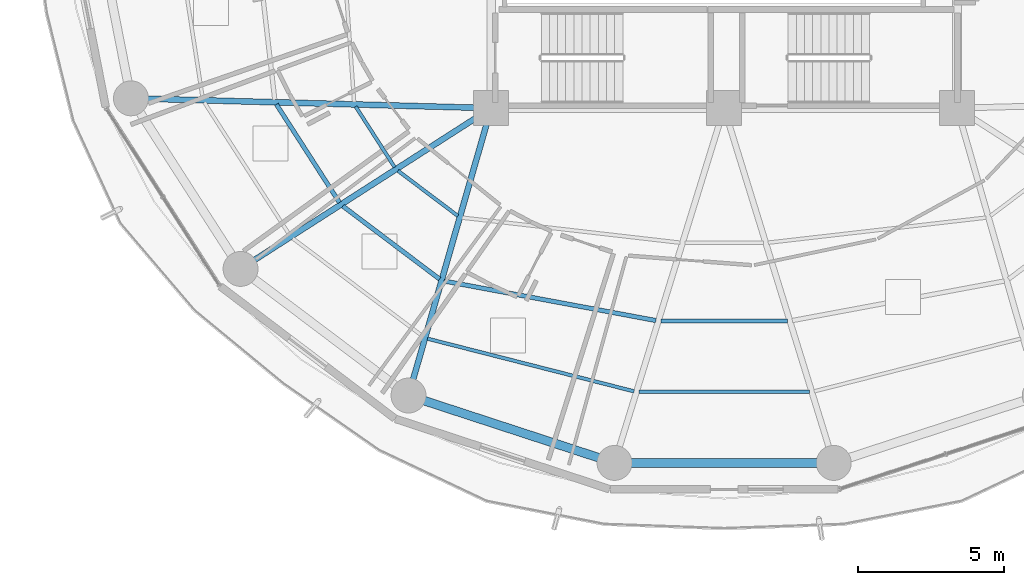
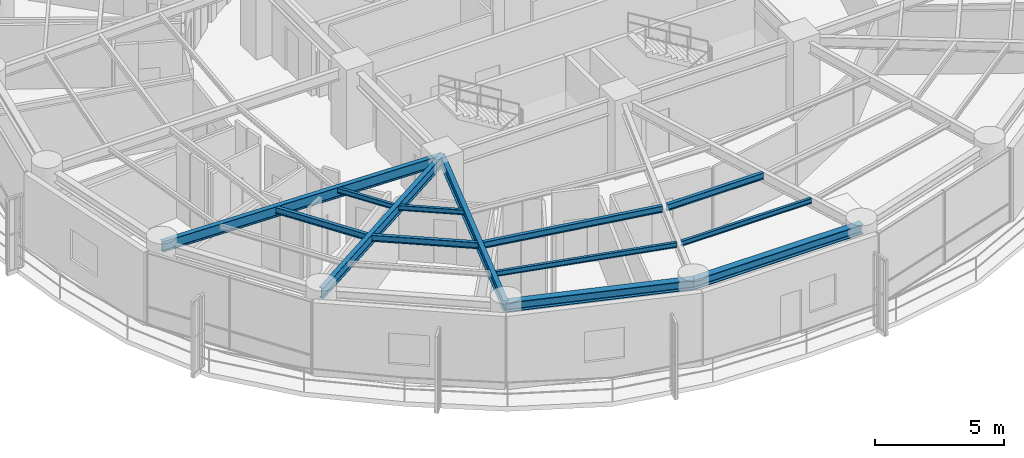
# One storey, part 3 of 27: 13 beams.
"""IFC4 building model written with IfcOpenShell, lengths in metres."""

from ifc_helpers import new_model, si_unit, direction, frame, origin, origin_2d, place, context, subcontext, project, spatial, i_section, extrude, material, material_profile, profile_set, type_object, element, save


model = new_model("IFC4")

# Units and contexts
model_context = context("Model", 3, precision=1e-05, world=origin(), true_north=direction((0.0, 1.0)))
body_context = subcontext(model_context, "Body", "Model", "MODEL_VIEW")
ifc_project = project(units=[si_unit("LENGTHUNIT", "METRE"), si_unit("AREAUNIT", "SQUARE_METRE"), si_unit("VOLUMEUNIT", "CUBIC_METRE"), si_unit("PLANEANGLEUNIT", "RADIAN"), si_unit("MASSUNIT", "GRAM", prefix="KILO")], contexts=[model_context])

# Site, building, storey
site_placement = place(None, origin())
site = spatial("IfcSite", under=ifc_project, at=site_placement, CompositionType="ELEMENT")
building_placement = place(site_placement, origin())
building = spatial("IfcBuilding", under=site, at=building_placement, Name="Kelanora Arch Commons", CompositionType="ELEMENT")
storey_placement = place(building_placement, frame((0.0, 0.0, 143.10009765625)))
storey = spatial("IfcBuildingStorey", under=building, at=storey_placement, Name="L36", CompositionType="ELEMENT", Elevation=143.10009765625)

# Beams
ifc_material = material(Name="Steel S355", Category="steel")
ifc_material_profile_1 = material_profile(ifc_material, i_section(OverallWidth=0.14990234375, OverallDepth=0.300048828125, WebThickness=0.007080078125, FlangeThickness=0.0107421875, FilletRadius=0.014892578125, at=origin_2d()), Name="IPE300")
ifc_profile_set_1 = profile_set([ifc_material_profile_1], Name="Steel S355")
beam_type_1 = type_object("IfcBeamType", Name="BM-JST-01", PredefinedType="JOIST", material=ifc_profile_set_1)
beam_1_placement = place(storey_placement, frame((58.622314453125, 51.130859375, 3.33984375), z_axis=(0.540594434398, -0.841283339606, 0.0), x_axis=(0.841283339606, 0.540594434398, 0.0)))
element("IfcBeam", 1, at=beam_1_placement, inside=storey, type_object=beam_type_1, Name="Secondary Chord Joist BJB-20 L36", PredefinedType="JOIST", context=body_context, shape_type="SweptSolid", body=[
    extrude(i_section(OverallWidth=0.14990234375, OverallDepth=0.300048828125, WebThickness=0.007080078125, FlangeThickness=0.0107421875, FilletRadius=0.014892578125, at=origin_2d()), origin(), (0.0, 0.0, 1.0), 4.008544921875),
])
beam_2_placement = place(storey_placement, frame((60.9033203125, 47.635986328125, 3.33984375), z_axis=(0.798463547891, -0.602043156833, 0.0), x_axis=(0.602043156833, 0.798463547891, 0.0)))
element("IfcBeam", 2, at=beam_2_placement, inside=storey, type_object=beam_type_1, Name="Secondary Chord Joist BJB-22 L36", PredefinedType="JOIST", context=body_context, shape_type="SweptSolid", body=[
    extrude(i_section(OverallWidth=0.14990234375, OverallDepth=0.300048828125, WebThickness=0.007080078125, FlangeThickness=0.0107421875, FilletRadius=0.014892578125, at=origin_2d()), origin(), (0.0, 0.0, 1.0), 4.163818359375),
])
beam_3_placement = place(storey_placement, frame((64.379638671875, 45.062255859375, 3.33984375), z_axis=(0.983054256126, -0.183314837134, 0.0), x_axis=(0.183314837134, 0.983054256126, 0.0)))
element("IfcBeam", 3, at=beam_3_placement, inside=storey, type_object=beam_type_1, Name="Secondary Chord Joist BJB-24 L36", PredefinedType="JOIST", context=body_context, shape_type="SweptSolid", body=[
    extrude(i_section(OverallWidth=0.14990234375, OverallDepth=0.300048828125, WebThickness=0.007080078125, FlangeThickness=0.0107421875, FilletRadius=0.014892578125, at=origin_2d()), origin(), (0.0, 0.0, 1.0), 7.403564453125),
])
beam_4_placement = place(storey_placement, frame((71.826171875, 43.689453125, 3.33984375), z_axis=(1.0, 0.0, 0.0), x_axis=(0.0, 1.0, 0.0)))
element("IfcBeam", 4, at=beam_4_placement, inside=storey, type_object=beam_type_1, Name="Secondary Chord Joist BJB-26 L36", PredefinedType="JOIST", context=body_context, shape_type="SweptSolid", body=[
    extrude(i_section(OverallWidth=0.14990234375, OverallDepth=0.300048828125, WebThickness=0.007080078125, FlangeThickness=0.0107421875, FilletRadius=0.014892578125, at=origin_2d()), origin(), (0.0, 0.0, 1.0), 4.34765625),
])
ifc_material_profile_2 = material_profile(ifc_material, i_section(OverallWidth=0.1201171875, OverallDepth=0.239990234375, WebThickness=0.006103515625, FlangeThickness=0.009765625, FilletRadius=0.014892578125, at=origin_2d()), Name="IPE240")
ifc_profile_set_2 = profile_set([ifc_material_profile_2], Name="Steel S355")
beam_type_2 = type_object("IfcBeamType", Name="BM-JST-02", PredefinedType="JOIST", material=ifc_profile_set_2)
beam_5_placement = place(storey_placement, frame((61.344482421875, 51.056640625, 3.369873046875), z_axis=(0.540583174025, -0.841290575224, 0.0), x_axis=(0.841290575224, 0.540583174025, 0.0)))
element("IfcBeam", 5, at=beam_5_placement, inside=storey, type_object=beam_type_2, Name="Secondary Chord Joist BJA-20 L36", PredefinedType="JOIST", context=body_context, shape_type="SweptSolid", body=[
    extrude(i_section(OverallWidth=0.1201171875, OverallDepth=0.239990234375, WebThickness=0.006103515625, FlangeThickness=0.009765625, FilletRadius=0.014892578125, at=origin_2d()), origin(), (0.0, 0.0, 1.0), 2.476318359375),
])
beam_6_placement = place(storey_placement, frame((62.796875, 48.8505859375, 3.369873046875), z_axis=(0.798484118859, -0.602015873487, 0.0), x_axis=(0.602015873487, 0.798484118859, 0.0)))
element("IfcBeam", 6, at=beam_6_placement, inside=storey, type_object=beam_type_2, Name="Secondary Chord Joist BJA-22 L36", PredefinedType="JOIST", context=body_context, shape_type="SweptSolid", body=[
    extrude(i_section(OverallWidth=0.1201171875, OverallDepth=0.239990234375, WebThickness=0.006103515625, FlangeThickness=0.009765625, FilletRadius=0.014892578125, at=origin_2d()), origin(), (0.0, 0.0, 1.0), 2.57470703125),
])
beam_7_placement = place(storey_placement, frame((63.810302734375, 43.082763671875, 3.369873046875), z_axis=(0.96900232943, -0.247051584815, 0.0), x_axis=(0.247051584815, 0.96900232943, 0.0)))
element("IfcBeam", 7, at=beam_7_placement, inside=storey, type_object=beam_type_2, Name="Secondary Chord Joist BJC-24 L36", PredefinedType="JOIST", context=body_context, shape_type="SweptSolid", body=[
    extrude(i_section(OverallWidth=0.1201171875, OverallDepth=0.239990234375, WebThickness=0.006103515625, FlangeThickness=0.009765625, FilletRadius=0.014892578125, at=origin_2d()), origin(), (0.0, 0.0, 1.0), 7.32275390625),
])
beam_8_placement = place(storey_placement, frame((71.0732421875, 41.252685546875, 3.369873046875), z_axis=(1.0, 0.0, 0.0), x_axis=(0.0, 1.0, 0.0)))
element("IfcBeam", 8, at=beam_8_placement, inside=storey, type_object=beam_type_2, Name="Secondary Chord Joist BJC-26 L36", PredefinedType="JOIST", context=body_context, shape_type="SweptSolid", body=[
    extrude(i_section(OverallWidth=0.1201171875, OverallDepth=0.239990234375, WebThickness=0.006103515625, FlangeThickness=0.009765625, FilletRadius=0.014892578125, at=origin_2d()), origin(), (0.0, 0.0, 1.0), 5.853515625),
])
ifc_material_profile_3 = material_profile(ifc_material, i_section(OverallWidth=0.199951171875, OverallDepth=0.5, WebThickness=0.01025390625, FlangeThickness=0.01611328125, FilletRadius=0.02099609375, at=origin_2d()), Name="IPE500")
ifc_profile_set_3 = profile_set([ifc_material_profile_3], Name="Steel S355")
beam_type_3 = type_object("IfcBeamType", Name="BM-RAD-Z3", PredefinedType="BEAM", material=ifc_profile_set_3)
beam_9_placement = place(storey_placement, frame((66.0, 51.0, 3.239990234375), z_axis=(-0.999628374924, 0.027260081577, 0.0), x_axis=(-0.027260081577, -0.999628374924, 0.0)))
element("IfcBeam", 9, at=beam_9_placement, inside=storey, type_object=beam_type_3, Name="Radial Floor Girder BR-20 L36", PredefinedType="BEAM", context=body_context, shape_type="SweptSolid", body=[
    extrude(i_section(OverallWidth=0.199951171875, OverallDepth=0.5, WebThickness=0.01025390625, FlangeThickness=0.01611328125, FilletRadius=0.02099609375, at=origin_2d()), origin(), (0.0, 0.0, 1.0), 12.377197265625),
])
beam_10_placement = place(storey_placement, frame((66.0, 51.0, 3.239990234375), z_axis=(-0.841719465748, -0.539915123868, 0.0), x_axis=(0.539915123868, -0.841719465748, 0.0)))
element("IfcBeam", 10, at=beam_10_placement, inside=storey, type_object=beam_type_3, Name="Radial Floor Girder BR-22 L36", PredefinedType="BEAM", context=body_context, shape_type="SweptSolid", body=[
    extrude(i_section(OverallWidth=0.199951171875, OverallDepth=0.5, WebThickness=0.01025390625, FlangeThickness=0.01611328125, FilletRadius=0.02099609375, at=origin_2d()), origin(), (0.0, 0.0, 1.0), 10.2265625),
])
beam_11_placement = place(storey_placement, frame((66.0, 51.0, 3.239990234375), z_axis=(-0.276525880065, -0.961006471182, 0.0), x_axis=(0.961006471182, -0.276525880065, 0.0)))
element("IfcBeam", 11, at=beam_11_placement, inside=storey, type_object=beam_type_3, Name="Radial Floor Girder BR-24 L36", PredefinedType="BEAM", context=body_context, shape_type="SweptSolid", body=[
    extrude(i_section(OverallWidth=0.199951171875, OverallDepth=0.5, WebThickness=0.01025390625, FlangeThickness=0.01611328125, FilletRadius=0.02099609375, at=origin_2d()), origin(), (0.0, 0.0, 1.0), 10.2705078125),
])
ifc_material_profile_4 = material_profile(ifc_material, i_section(OverallWidth=0.300048828125, OverallDepth=0.449951171875, WebThickness=0.013916015625, FlangeThickness=0.02587890625, FilletRadius=0.027099609375, at=origin_2d()), Name="HEB450")
ifc_profile_set_4 = profile_set([ifc_material_profile_4], Name="Steel S355")
beam_type_4 = type_object("IfcBeamType", Name="BM-SPN-Z3", PredefinedType="SPANDREL", material=ifc_profile_set_4)
beam_12_placement = place(storey_placement, frame((63.159912109375, 41.1298828125, 3.264892578125), z_axis=(0.950461975786, -0.310840847676, 0.0), x_axis=(0.310840847676, 0.950461975786, 0.0)))
element("IfcBeam", 12, at=beam_12_placement, inside=storey, type_object=beam_type_4, Name="Perimeter Spandrel Beam BS-24 L36", PredefinedType="SPANDREL", context=body_context, shape_type="SweptSolid", body=[
    extrude(i_section(OverallWidth=0.300048828125, OverallDepth=0.449951171875, WebThickness=0.013916015625, FlangeThickness=0.02587890625, FilletRadius=0.027099609375, at=origin_2d()), origin(), (0.0, 0.0, 1.0), 7.444091796875),
])
beam_13_placement = place(storey_placement, frame((70.2353515625, 38.81591796875, 3.264892578125), z_axis=(1.0, 0.0, 0.0), x_axis=(0.0, 1.0, 0.0)))
element("IfcBeam", 13, at=beam_13_placement, inside=storey, type_object=beam_type_4, Name="Perimeter Spandrel Beam BS-26 L36", PredefinedType="SPANDREL", context=body_context, shape_type="SweptSolid", body=[
    extrude(i_section(OverallWidth=0.300048828125, OverallDepth=0.449951171875, WebThickness=0.013916015625, FlangeThickness=0.02587890625, FilletRadius=0.027099609375, at=origin_2d()), origin(), (0.0, 0.0, 1.0), 7.529296875),
])

save(model, "model.ifc")
